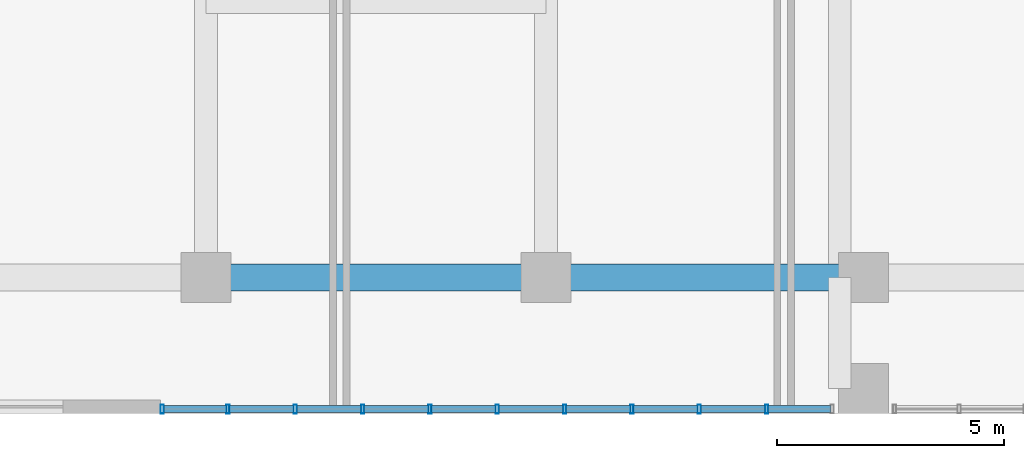
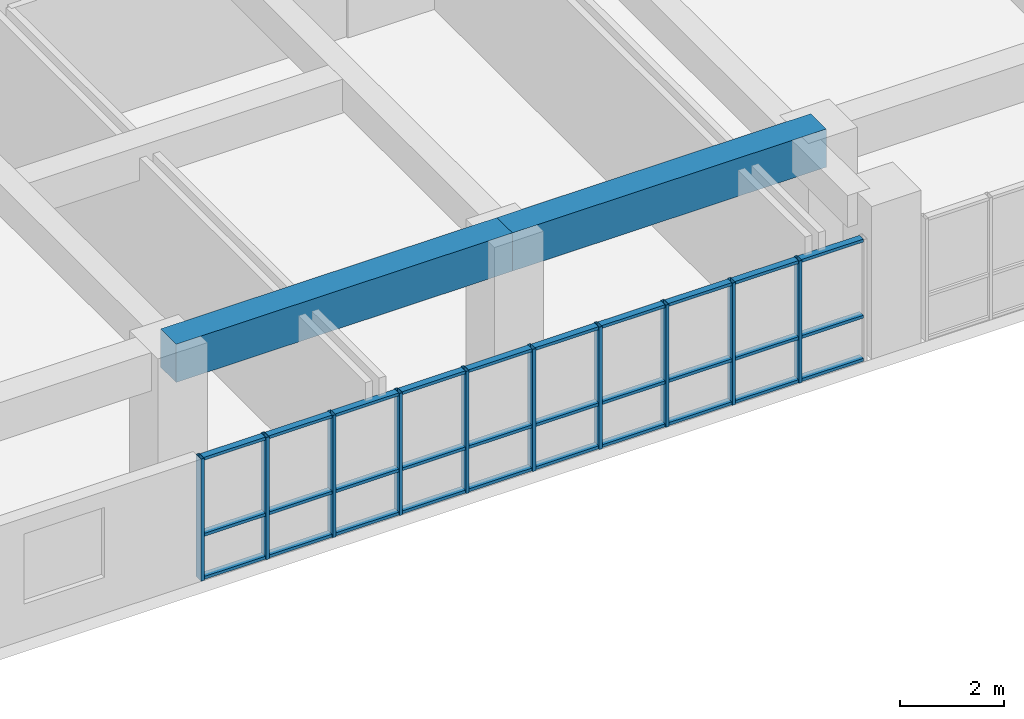
# One storey, part 2 of 27: 40 members, 2 beams, 1 element without a shape of its own.
"""IFC4 building model written with IfcOpenShell, lengths in metres."""

import ifcopenshell
import ifcopenshell.guid

model = None  # the IFC model being written
_history = None  # IfcOwnerHistory: only IFC2X3 demands one
_inside = {}  # id of a spatial element -> (the spatial element, [elements in it])
_under = {}  # id of a project, library or spatial element -> (it, [spatial elements below it])
_declared = {}  # id of a project -> (the project, [libraries it declares])
_typed = {}  # id of a type object -> (the type object, [elements of that type])
_made_of = {}  # id of a material, layer set ... -> (it, [elements and type objects made of it])


def new_model(schema):
    """Start an empty IFC model of exactly this schema.

    Asked for "IFC4X3", IfcOpenShell would pick the latest addendum, in which some entities
    have other attributes; the version numbers below select the first issue.
    IFC2X3 requires an IfcOwnerHistory on every rooted entity: one is made here for all.
    """
    global model, _history
    if schema == "IFC4X3":
        model = ifcopenshell.file(schema_version=(4, 3, 0, 0))
    else:
        model = ifcopenshell.file(schema=schema)
    _inside.clear()
    _under.clear()
    _declared.clear()
    _typed.clear()
    _made_of.clear()
    _history = None
    if model.schema == "IFC2X3":
        org = make("IfcOrganization", Name="unknown")
        user = make(
            "IfcPersonAndOrganization",
            ThePerson=make("IfcPerson", FamilyName="unknown"),
            TheOrganization=org,
        )
        app = make(
            "IfcApplication",
            ApplicationDeveloper=org,
            Version="unknown",
            ApplicationFullName="unknown",
            ApplicationIdentifier="unknown",
        )
        _history = make(
            "IfcOwnerHistory",
            OwningUser=user,
            OwningApplication=app,
            ChangeAction="ADDED",
            CreationDate=0,
        )
    return model


def make(cls, **values):
    """One entity of the class cls with the attributes given. An attribute that is None is left unset."""
    return model.create_entity(
        cls, **{name: value for name, value in values.items() if value is not None}
    )


def rooted(cls, **values):
    """An entity with a GlobalId (a new one), such as an element, a storey or a relation."""
    return make(cls, GlobalId=ifcopenshell.guid.new(), OwnerHistory=_history, **values)


def si_unit(unit_type, name, prefix=None):
    """IfcSIUnit, for example si_unit("LENGTHUNIT", "METRE", prefix="MILLI")."""
    return make("IfcSIUnit", UnitType=unit_type, Prefix=prefix, Name=name)


def assignment(units):
    """IfcUnitAssignment: the units of a project."""
    return None if units is None else make("IfcUnitAssignment", Units=units)


def point(xyz):
    """IfcCartesianPoint."""
    return None if xyz is None else make("IfcCartesianPoint", Coordinates=xyz)


def direction(xyz):
    """IfcDirection."""
    return None if xyz is None else make("IfcDirection", DirectionRatios=xyz)


def frame(location, z_axis=None, x_axis=None):
    """IfcAxis2Placement3D, a coordinate frame: its origin and axes. An axis left out is left unset."""
    return make(
        "IfcAxis2Placement3D",
        Location=point(location),
        Axis=direction(z_axis),
        RefDirection=direction(x_axis),
    )


def frame_2d(location, x_axis=None):
    """IfcAxis2Placement2D, a coordinate frame in the plane: its origin and x axis."""
    return make(
        "IfcAxis2Placement2D", Location=point(location), RefDirection=direction(x_axis)
    )


def origin():
    """The frame at (0, 0, 0) with its axes left unset."""
    return frame((0.0, 0.0, 0.0))


def origin_2d():
    """The frame at (0, 0) in the plane with its x axis left unset."""
    return frame_2d((0.0, 0.0))


def place(relative_to, where):
    """IfcLocalPlacement: puts the frame where relative to a parent placement (None: the world)."""
    return make(
        "IfcLocalPlacement", PlacementRelTo=relative_to, RelativePlacement=where
    )


def context(
    kind, dimensions, precision=None, world=None, true_north=None, identifier=None
):
    """IfcGeometricRepresentationContext, for example the 3D "Model" context."""
    return make(
        "IfcGeometricRepresentationContext",
        ContextIdentifier=identifier,
        ContextType=kind,
        CoordinateSpaceDimension=dimensions,
        Precision=precision,
        WorldCoordinateSystem=world,
        TrueNorth=true_north,
    )


def subcontext(parent, identifier, kind, view, scale=None):
    """IfcGeometricRepresentationSubContext, for example "Body" below "Model"."""
    return make(
        "IfcGeometricRepresentationSubContext",
        ContextIdentifier=identifier,
        ContextType=kind,
        ParentContext=parent,
        TargetScale=scale,
        TargetView=view,
    )


def project(units=None, contexts=None):
    """IfcProject with its units and contexts."""
    return rooted(
        "IfcProject",
        Name="project",
        RepresentationContexts=contexts,
        UnitsInContext=assignment(units),
    )


def spatial(cls, under=None, at=None, **own):
    """A site, building, storey or space (cls), placed at a placement, below another one or the project."""
    s = rooted(cls, ObjectPlacement=at, **own)
    if under is not None:
        _under.setdefault(under.id(), (under, []))[1].append(s)
    return s


def profile(cls, at=None, kind="AREA", **sizes):
    """A parametric profile (cls). Its sizes go by their IFC names, for example OverallWidth=200.0."""
    return make(cls, ProfileType=kind, Position=at, **sizes)


def rectangle(**sizes):
    """IfcRectangleProfileDef."""
    return profile("IfcRectangleProfileDef", **sizes)


def hollow_rectangle(**sizes):
    """IfcRectangleHollowProfileDef."""
    return profile("IfcRectangleHollowProfileDef", **sizes)


def extrude(swept, where, along, depth):
    """IfcExtrudedAreaSolid: the profile swept, set in the frame where, extruded along a direction by depth."""
    return make(
        "IfcExtrudedAreaSolid",
        SweptArea=swept,
        Position=where,
        ExtrudedDirection=direction(along),
        Depth=depth,
    )


def shape(context_of_items, identifier, shape_type, items):
    """IfcShapeRepresentation: the items that make up one representation, for example the "Body"."""
    return make(
        "IfcShapeRepresentation",
        ContextOfItems=context_of_items,
        RepresentationIdentifier=identifier,
        RepresentationType=shape_type,
        Items=items,
    )


def source(mapping_origin, context_of_items, identifier, shape_type, items):
    """IfcRepresentationMap: a shape defined once, which mapped items show again and again."""
    return make(
        "IfcRepresentationMap",
        MappingOrigin=mapping_origin,
        MappedRepresentation=shape(context_of_items, identifier, shape_type, items),
    )


def transform(
    local_origin,
    x_axis=None,
    y_axis=None,
    z_axis=None,
    scale=None,
    scale2=None,
    scale3=None,
    uniform=True,
):
    """IfcCartesianTransformationOperator3D, or its non-uniform kind. x_axis, y_axis, z_axis: its Axis1, 2, 3."""
    if uniform:
        return make(
            "IfcCartesianTransformationOperator3D",
            Axis1=direction(x_axis),
            Axis2=direction(y_axis),
            LocalOrigin=point(local_origin),
            Scale=scale,
            Axis3=direction(z_axis),
        )
    return make(
        "IfcCartesianTransformationOperator3DnonUniform",
        Axis1=direction(x_axis),
        Axis2=direction(y_axis),
        LocalOrigin=point(local_origin),
        Scale=scale,
        Axis3=direction(z_axis),
        Scale2=scale2,
        Scale3=scale3,
    )


def mapped(mapping_source, mapping_target):
    """IfcMappedItem: shows the shape of a source again, moved by a transform."""
    return make(
        "IfcMappedItem", MappingSource=mapping_source, MappingTarget=mapping_target
    )


def material(Name=None, Category=None):
    """IfcMaterial."""
    return make("IfcMaterial", Name=Name, Category=Category)


def layer(
    of_material, thickness, ventilated=None, Name=None, Category=None, Priority=None
):
    """IfcMaterialLayer: one layer of a wall or slab, of a material (None: an air gap)."""
    return make(
        "IfcMaterialLayer",
        Material=of_material,
        LayerThickness=thickness,
        IsVentilated=ventilated,
        Name=Name,
        Category=Category,
        Priority=Priority,
    )


def layer_set(layers, Name=None):
    """IfcMaterialLayerSet."""
    return make("IfcMaterialLayerSet", MaterialLayers=layers, LayerSetName=Name)


def material_profile(
    of_material, cross_section, Name=None, Category=None, Priority=None
):
    """IfcMaterialProfile: a cross section and its material."""
    return make(
        "IfcMaterialProfile",
        Name=Name,
        Material=of_material,
        Profile=cross_section,
        Priority=Priority,
        Category=Category,
    )


def profile_set(profiles, Name=None, composite=None):
    """IfcMaterialProfileSet."""
    return make(
        "IfcMaterialProfileSet",
        Name=Name,
        MaterialProfiles=profiles,
        CompositeProfile=composite,
    )


def made_of(thing, what):
    """Note that an element or type object is made of a material, layer set ...; save() writes the relation."""
    if what is not None:
        _made_of.setdefault(what.id(), (what, []))[1].append(thing)
    return thing


def type_object(cls, material=None, **own):
    """A type object (cls), such as IfcWallType, which elements share."""
    return made_of(rooted(cls, **own), material)


def element(
    cls,
    number,
    at=None,
    inside=None,
    cuts=None,
    type_object=None,
    material=None,
    context=None,
    identifier="Body",
    shape_type=None,
    held_by="IfcProductDefinitionShape",
    body=None,
    shapes=None,
    **own,
):
    """One element of the class cls, such as IfcWall. Its Tag is "e" and its number.

    at: its placement. inside: the storey or other place that contains it. cuts: it is an
    opening in that element (IfcRelVoidsElement). A single representation is given by context,
    identifier, shape_type and body (its items); several are given by shapes. held_by: the class
    of the entity that holds the representations. save() writes the other relations.
    """
    e = rooted(cls, Tag="e%d" % number, ObjectPlacement=at, **own)
    if body is not None:
        shapes = [shape(context, identifier, shape_type, body)]
    if shapes is not None:
        e.Representation = make(held_by, Representations=shapes)
    if inside is not None:
        _inside.setdefault(inside.id(), (inside, []))[1].append(e)
    if cuts is not None:
        rooted(
            "IfcRelVoidsElement", RelatingBuildingElement=cuts, RelatedOpeningElement=e
        )
    if type_object is not None:
        _typed.setdefault(type_object.id(), (type_object, []))[1].append(e)
    return made_of(e, material)


def aggregate(whole, parts):
    """IfcRelAggregates: a whole, such as a stair, and the parts it consists of."""
    return rooted("IfcRelAggregates", RelatingObject=whole, RelatedObjects=parts)


def save(model, path):
    """Write the relations noted so far, then the file.

    IfcRelAggregates (storeys below a building ...), IfcRelContainedInSpatialStructure (elements
    in a storey), IfcRelDefinesByType, IfcRelAssociatesMaterial and IfcRelDeclares: one each for
    every whole, place, type object, material and project.
    """
    for whole, parts in _under.values():
        aggregate(whole, parts)
    for where, things in _inside.values():
        rooted(
            "IfcRelContainedInSpatialStructure",
            RelatedElements=things,
            RelatingStructure=where,
        )
    for kind, things in _typed.values():
        rooted("IfcRelDefinesByType", RelatedObjects=things, RelatingType=kind)
    for what, things in _made_of.values():
        rooted("IfcRelAssociatesMaterial", RelatedObjects=things, RelatingMaterial=what)
    for by, libraries in _declared.values():
        rooted("IfcRelDeclares", RelatingContext=by, RelatedDefinitions=libraries)
    model.write(path)


model = new_model("IFC4")

# Units and contexts
model_context = context("Model", 3, precision=1e-05, world=origin(), true_north=direction((0.0, 1.0)))
body_context = subcontext(model_context, "Body", "Model", "MODEL_VIEW")
ifc_project = project(units=[si_unit("LENGTHUNIT", "METRE"), si_unit("AREAUNIT", "SQUARE_METRE"), si_unit("VOLUMEUNIT", "CUBIC_METRE"), si_unit("PLANEANGLEUNIT", "RADIAN"), si_unit("MASSUNIT", "GRAM", prefix="KILO")], contexts=[model_context])

# Site, building, storey
site_placement = place(None, origin())
site = spatial("IfcSite", under=ifc_project, at=site_placement, CompositionType="ELEMENT")
building_placement = place(site_placement, origin())
building = spatial("IfcBuilding", under=site, at=building_placement, Name="Saelheon Loggia Tower", CompositionType="ELEMENT")
storey_placement = place(building_placement, frame((0.0, 0.0, 4.199951171875)))
storey = spatial("IfcBuildingStorey", under=building, at=storey_placement, Name="L01", CompositionType="ELEMENT", Elevation=4.199951171875)

# Beams
ifc_material_1 = material(Name="Concrete C50/60", Category="concrete")
ifc_material_profile_1 = material_profile(ifc_material_1, rectangle(XDim=0.60009765625, YDim=0.89990234375, at=origin_2d()), Name="RC-600x900")
ifc_profile_set_1 = profile_set([ifc_material_profile_1], Name="Concrete C50/60")
beam_type = type_object("IfcBeamType", Name="Beam_MainGirder_RC600x900", PredefinedType="BEAM", material=ifc_profile_set_1)
shared_shape_1 = source(origin(), body_context, "Body", "SweptSolid", [
    extrude(rectangle(XDim=0.60009765625, YDim=0.89990234375, at=origin_2d()), origin(), (0.0, 0.0, 1.0), 7.5),
])
beam_1_placement = place(storey_placement, frame((17.0, 3.0, 3.150146484375), z_axis=(1.0, 0.0, 0.0), x_axis=(0.0, 1.0, 0.0)))
element("IfcBeam", 1, at=beam_1_placement, inside=storey, type_object=beam_type, Name="BM-L01-EW-3-2", PredefinedType="BEAM", context=body_context, shape_type="MappedRepresentation", body=[
    mapped(shared_shape_1, transform((0.0, 0.0, 0.0), scale=1.0)),
])
shared_shape_2 = source(origin(), body_context, "Body", "SweptSolid", [
    extrude(rectangle(XDim=0.60009765625, YDim=0.89990234375, at=origin_2d()), origin(), (0.0, 0.0, 1.0), 7.0),
])
beam_2_placement = place(storey_placement, frame((24.5, 3.0, 3.150146484375), z_axis=(1.0, 0.0, 0.0), x_axis=(0.0, 1.0, 0.0)))
element("IfcBeam", 2, at=beam_2_placement, inside=storey, type_object=beam_type, Name="BM-L01-EW-3-3", PredefinedType="BEAM", context=body_context, shape_type="MappedRepresentation", body=[
    mapped(shared_shape_2, transform((0.0, 0.0, 0.0), scale=1.0)),
])

# Curtain wall, members
ifc_material_2 = material(Name="Aluminium 6063-T6 and Low-E IGU", Category="aluminium")
ifc_layer = layer(ifc_material_2, 0.179931640625)
ifc_layer_set = layer_set([ifc_layer], Name="Aluminium 6063-T6 and Low-E IGU")
curtain_wall_type = type_object("IfcCurtainWallType", Name="CW_PodiumClinic", PredefinedType="NOTDEFINED", material=ifc_layer_set)
curtain_wall_placement = place(storey_placement, origin())
curtain_wall = element("IfcCurtainWall", 3, at=curtain_wall_placement, inside=storey, type_object=curtain_wall_type, Name="L01 South Clinic Curtain Wall 1", PredefinedType="NOTDEFINED")
ifc_material_3 = material(Name="Anodised Aluminium 6063-T6", Category="aluminium")
ifc_material_profile_2 = material_profile(ifc_material_3, hollow_rectangle(XDim=0.070068359375, YDim=0.199951171875, WallThickness=0.0048828125, at=origin_2d()), Name="RHS-200x70x5")
ifc_profile_set_2 = profile_set([ifc_material_profile_2], Name="Anodised Aluminium 6063-T6")
member_type_1 = type_object("IfcMemberType", Name="CW_PodiumClinic_Mullion", PredefinedType="MULLION", material=ifc_profile_set_2)
shared_shape_3 = source(origin(), body_context, "Body", "SweptSolid", [
    extrude(hollow_rectangle(XDim=0.070068359375, YDim=0.199951171875, WallThickness=0.0048828125, at=origin_2d()), origin(), (0.0, 0.0, 1.0), 2.880126953125),
])
member_1_placement = place(storey_placement, frame((16.034912109375, 0.10009765625, 0.0), z_axis=(0.0, 0.0, 1.0), x_axis=(1.0, 0.0, 0.0)))
member_1 = element("IfcMember", 4, at=member_1_placement, type_object=member_type_1, Name="CW1 mullion 1", PredefinedType="MULLION", context=body_context, shape_type="MappedRepresentation", body=[
    mapped(shared_shape_3, transform((0.0, 0.0, 0.0), scale=1.0)),
])
member_2_placement = place(storey_placement, frame((17.485107421875, 0.10009765625, 0.0), z_axis=(0.0, 0.0, 1.0), x_axis=(1.0, 0.0, 0.0)))
member_2 = element("IfcMember", 5, at=member_2_placement, type_object=member_type_1, Name="CW1 mullion 2", PredefinedType="MULLION", context=body_context, shape_type="MappedRepresentation", body=[
    mapped(shared_shape_3, transform((0.0, 0.0, 0.0), scale=1.0)),
])
member_3_placement = place(storey_placement, frame((18.969970703125, 0.10009765625, 0.0), z_axis=(0.0, 0.0, 1.0), x_axis=(1.0, 0.0, 0.0)))
member_3 = element("IfcMember", 6, at=member_3_placement, type_object=member_type_1, Name="CW1 mullion 3", PredefinedType="MULLION", context=body_context, shape_type="MappedRepresentation", body=[
    mapped(shared_shape_3, transform((0.0, 0.0, 0.0), scale=1.0)),
])
member_4_placement = place(storey_placement, frame((20.455078125, 0.10009765625, 0.0), z_axis=(0.0, 0.0, 1.0), x_axis=(1.0, 0.0, 0.0)))
member_4 = element("IfcMember", 7, at=member_4_placement, type_object=member_type_1, Name="CW1 mullion 4", PredefinedType="MULLION", context=body_context, shape_type="MappedRepresentation", body=[
    mapped(shared_shape_3, transform((0.0, 0.0, 0.0), scale=1.0)),
])
member_5_placement = place(storey_placement, frame((21.93994140625, 0.10009765625, 0.0), z_axis=(0.0, 0.0, 1.0), x_axis=(1.0, 0.0, 0.0)))
member_5 = element("IfcMember", 8, at=member_5_placement, type_object=member_type_1, Name="CW1 mullion 5", PredefinedType="MULLION", context=body_context, shape_type="MappedRepresentation", body=[
    mapped(shared_shape_3, transform((0.0, 0.0, 0.0), scale=1.0)),
])
member_6_placement = place(storey_placement, frame((23.425048828125, 0.10009765625, 0.0), z_axis=(0.0, 0.0, 1.0), x_axis=(1.0, 0.0, 0.0)))
member_6 = element("IfcMember", 9, at=member_6_placement, type_object=member_type_1, Name="CW1 mullion 6", PredefinedType="MULLION", context=body_context, shape_type="MappedRepresentation", body=[
    mapped(shared_shape_3, transform((0.0, 0.0, 0.0), scale=1.0)),
])
member_7_placement = place(storey_placement, frame((24.909912109375, 0.10009765625, 0.0), z_axis=(0.0, 0.0, 1.0), x_axis=(1.0, 0.0, 0.0)))
member_7 = element("IfcMember", 10, at=member_7_placement, type_object=member_type_1, Name="CW1 mullion 7", PredefinedType="MULLION", context=body_context, shape_type="MappedRepresentation", body=[
    mapped(shared_shape_3, transform((0.0, 0.0, 0.0), scale=1.0)),
])
member_8_placement = place(storey_placement, frame((26.39501953125, 0.10009765625, 0.0), z_axis=(0.0, 0.0, 1.0), x_axis=(1.0, 0.0, 0.0)))
member_8 = element("IfcMember", 11, at=member_8_placement, type_object=member_type_1, Name="CW1 mullion 8", PredefinedType="MULLION", context=body_context, shape_type="MappedRepresentation", body=[
    mapped(shared_shape_3, transform((0.0, 0.0, 0.0), scale=1.0)),
])
member_9_placement = place(storey_placement, frame((27.8798828125, 0.10009765625, 0.0), z_axis=(0.0, 0.0, 1.0), x_axis=(1.0, 0.0, 0.0)))
member_9 = element("IfcMember", 12, at=member_9_placement, type_object=member_type_1, Name="CW1 mullion 9", PredefinedType="MULLION", context=body_context, shape_type="MappedRepresentation", body=[
    mapped(shared_shape_3, transform((0.0, 0.0, 0.0), scale=1.0)),
])
member_10_placement = place(storey_placement, frame((29.364990234375, 0.10009765625, 0.0), z_axis=(0.0, 0.0, 1.0), x_axis=(1.0, 0.0, 0.0)))
member_10 = element("IfcMember", 13, at=member_10_placement, type_object=member_type_1, Name="CW1 mullion 10", PredefinedType="MULLION", context=body_context, shape_type="MappedRepresentation", body=[
    mapped(shared_shape_3, transform((0.0, 0.0, 0.0), scale=1.0)),
])
ifc_material_profile_3 = material_profile(ifc_material_3, hollow_rectangle(XDim=0.070068359375, YDim=0.14990234375, WallThickness=0.0048828125, at=origin_2d()), Name="RHS-150x70x5")
ifc_profile_set_3 = profile_set([ifc_material_profile_3], Name="Anodised Aluminium 6063-T6")
member_type_2 = type_object("IfcMemberType", Name="CW_PodiumClinic_Transom", PredefinedType="USERDEFINED", material=ifc_profile_set_3)
shared_shape_4 = source(origin(), body_context, "Body", "SweptSolid", [
    extrude(hollow_rectangle(XDim=0.070068359375, YDim=0.14990234375, WallThickness=0.0048828125, at=origin_2d()), origin(), (0.0, 0.0, 1.0), 1.3798828125),
])
member_11_placement = place(storey_placement, frame((16.070068359375, 0.10009765625, 0.03515625), z_axis=(1.0, 0.0, 0.0), x_axis=(0.0, 0.0, 1.0)))
member_11 = element("IfcMember", 14, at=member_11_placement, type_object=member_type_2, Name="CW1 transom 1.1", ObjectType="TRANSOM", PredefinedType="USERDEFINED", context=body_context, shape_type="MappedRepresentation", body=[
    mapped(shared_shape_4, transform((0.0, 0.0, 0.0), scale=1.0)),
])
member_12_placement = place(storey_placement, frame((16.070068359375, 0.10009765625, 1.050048828125), z_axis=(1.0, 0.0, 0.0), x_axis=(0.0, 0.0, 1.0)))
member_12 = element("IfcMember", 15, at=member_12_placement, type_object=member_type_2, Name="CW1 transom 1.2", ObjectType="TRANSOM", PredefinedType="USERDEFINED", context=body_context, shape_type="MappedRepresentation", body=[
    mapped(shared_shape_4, transform((0.0, 0.0, 0.0), scale=1.0)),
])
member_13_placement = place(storey_placement, frame((16.070068359375, 0.10009765625, 2.844970703125), z_axis=(1.0, 0.0, 0.0), x_axis=(0.0, 0.0, 1.0)))
member_13 = element("IfcMember", 16, at=member_13_placement, type_object=member_type_2, Name="CW1 transom 1.3", ObjectType="TRANSOM", PredefinedType="USERDEFINED", context=body_context, shape_type="MappedRepresentation", body=[
    mapped(shared_shape_4, transform((0.0, 0.0, 0.0), scale=1.0)),
])
shared_shape_5 = source(origin(), body_context, "Body", "SweptSolid", [
    extrude(hollow_rectangle(XDim=0.070068359375, YDim=0.14990234375, WallThickness=0.0048828125, at=origin_2d()), origin(), (0.0, 0.0, 1.0), 1.4150390625),
])
member_14_placement = place(storey_placement, frame((17.52001953125, 0.10009765625, 0.03515625), z_axis=(1.0, 0.0, 0.0), x_axis=(0.0, 0.0, 1.0)))
member_14 = element("IfcMember", 17, at=member_14_placement, type_object=member_type_2, Name="CW1 transom 2.1", ObjectType="TRANSOM", PredefinedType="USERDEFINED", context=body_context, shape_type="MappedRepresentation", body=[
    mapped(shared_shape_5, transform((0.0, 0.0, 0.0), scale=1.0)),
])
member_15_placement = place(storey_placement, frame((17.52001953125, 0.10009765625, 1.050048828125), z_axis=(1.0, 0.0, 0.0), x_axis=(0.0, 0.0, 1.0)))
member_15 = element("IfcMember", 18, at=member_15_placement, type_object=member_type_2, Name="CW1 transom 2.2", ObjectType="TRANSOM", PredefinedType="USERDEFINED", context=body_context, shape_type="MappedRepresentation", body=[
    mapped(shared_shape_5, transform((0.0, 0.0, 0.0), scale=1.0)),
])
member_16_placement = place(storey_placement, frame((17.52001953125, 0.10009765625, 2.844970703125), z_axis=(1.0, 0.0, 0.0), x_axis=(0.0, 0.0, 1.0)))
member_16 = element("IfcMember", 19, at=member_16_placement, type_object=member_type_2, Name="CW1 transom 2.3", ObjectType="TRANSOM", PredefinedType="USERDEFINED", context=body_context, shape_type="MappedRepresentation", body=[
    mapped(shared_shape_5, transform((0.0, 0.0, 0.0), scale=1.0)),
])
member_17_placement = place(storey_placement, frame((19.0048828125, 0.10009765625, 0.03515625), z_axis=(1.0, 0.0, 0.0), x_axis=(0.0, 0.0, 1.0)))
member_17 = element("IfcMember", 20, at=member_17_placement, type_object=member_type_2, Name="CW1 transom 3.1", ObjectType="TRANSOM", PredefinedType="USERDEFINED", context=body_context, shape_type="MappedRepresentation", body=[
    mapped(shared_shape_5, transform((0.0, 0.0, 0.0), scale=1.0)),
])
member_18_placement = place(storey_placement, frame((19.0048828125, 0.10009765625, 1.050048828125), z_axis=(1.0, 0.0, 0.0), x_axis=(0.0, 0.0, 1.0)))
member_18 = element("IfcMember", 21, at=member_18_placement, type_object=member_type_2, Name="CW1 transom 3.2", ObjectType="TRANSOM", PredefinedType="USERDEFINED", context=body_context, shape_type="MappedRepresentation", body=[
    mapped(shared_shape_5, transform((0.0, 0.0, 0.0), scale=1.0)),
])
member_19_placement = place(storey_placement, frame((19.0048828125, 0.10009765625, 2.844970703125), z_axis=(1.0, 0.0, 0.0), x_axis=(0.0, 0.0, 1.0)))
member_19 = element("IfcMember", 22, at=member_19_placement, type_object=member_type_2, Name="CW1 transom 3.3", ObjectType="TRANSOM", PredefinedType="USERDEFINED", context=body_context, shape_type="MappedRepresentation", body=[
    mapped(shared_shape_5, transform((0.0, 0.0, 0.0), scale=1.0)),
])
member_20_placement = place(storey_placement, frame((20.489990234375, 0.10009765625, 0.03515625), z_axis=(1.0, 0.0, 0.0), x_axis=(0.0, 0.0, 1.0)))
member_20 = element("IfcMember", 23, at=member_20_placement, type_object=member_type_2, Name="CW1 transom 4.1", ObjectType="TRANSOM", PredefinedType="USERDEFINED", context=body_context, shape_type="MappedRepresentation", body=[
    mapped(shared_shape_5, transform((0.0, 0.0, 0.0), scale=1.0)),
])
member_21_placement = place(storey_placement, frame((20.489990234375, 0.10009765625, 1.050048828125), z_axis=(1.0, 0.0, 0.0), x_axis=(0.0, 0.0, 1.0)))
member_21 = element("IfcMember", 24, at=member_21_placement, type_object=member_type_2, Name="CW1 transom 4.2", ObjectType="TRANSOM", PredefinedType="USERDEFINED", context=body_context, shape_type="MappedRepresentation", body=[
    mapped(shared_shape_5, transform((0.0, 0.0, 0.0), scale=1.0)),
])
member_22_placement = place(storey_placement, frame((20.489990234375, 0.10009765625, 2.844970703125), z_axis=(1.0, 0.0, 0.0), x_axis=(0.0, 0.0, 1.0)))
member_22 = element("IfcMember", 25, at=member_22_placement, type_object=member_type_2, Name="CW1 transom 4.3", ObjectType="TRANSOM", PredefinedType="USERDEFINED", context=body_context, shape_type="MappedRepresentation", body=[
    mapped(shared_shape_5, transform((0.0, 0.0, 0.0), scale=1.0)),
])
member_23_placement = place(storey_placement, frame((23.4599609375, 0.10009765625, 0.03515625), z_axis=(1.0, 0.0, 0.0), x_axis=(0.0, 0.0, 1.0)))
member_23 = element("IfcMember", 26, at=member_23_placement, type_object=member_type_2, Name="CW1 transom 6.1", ObjectType="TRANSOM", PredefinedType="USERDEFINED", context=body_context, shape_type="MappedRepresentation", body=[
    mapped(shared_shape_5, transform((0.0, 0.0, 0.0), scale=1.0)),
])
member_24_placement = place(storey_placement, frame((23.4599609375, 0.10009765625, 1.050048828125), z_axis=(1.0, 0.0, 0.0), x_axis=(0.0, 0.0, 1.0)))
member_24 = element("IfcMember", 27, at=member_24_placement, type_object=member_type_2, Name="CW1 transom 6.2", ObjectType="TRANSOM", PredefinedType="USERDEFINED", context=body_context, shape_type="MappedRepresentation", body=[
    mapped(shared_shape_5, transform((0.0, 0.0, 0.0), scale=1.0)),
])
member_25_placement = place(storey_placement, frame((23.4599609375, 0.10009765625, 2.844970703125), z_axis=(1.0, 0.0, 0.0), x_axis=(0.0, 0.0, 1.0)))
member_25 = element("IfcMember", 28, at=member_25_placement, type_object=member_type_2, Name="CW1 transom 6.3", ObjectType="TRANSOM", PredefinedType="USERDEFINED", context=body_context, shape_type="MappedRepresentation", body=[
    mapped(shared_shape_5, transform((0.0, 0.0, 0.0), scale=1.0)),
])
member_26_placement = place(storey_placement, frame((24.945068359375, 0.10009765625, 0.03515625), z_axis=(1.0, 0.0, 0.0), x_axis=(0.0, 0.0, 1.0)))
member_26 = element("IfcMember", 29, at=member_26_placement, type_object=member_type_2, Name="CW1 transom 7.1", ObjectType="TRANSOM", PredefinedType="USERDEFINED", context=body_context, shape_type="MappedRepresentation", body=[
    mapped(shared_shape_5, transform((0.0, 0.0, 0.0), scale=1.0)),
])
member_27_placement = place(storey_placement, frame((24.945068359375, 0.10009765625, 1.050048828125), z_axis=(1.0, 0.0, 0.0), x_axis=(0.0, 0.0, 1.0)))
member_27 = element("IfcMember", 30, at=member_27_placement, type_object=member_type_2, Name="CW1 transom 7.2", ObjectType="TRANSOM", PredefinedType="USERDEFINED", context=body_context, shape_type="MappedRepresentation", body=[
    mapped(shared_shape_5, transform((0.0, 0.0, 0.0), scale=1.0)),
])
member_28_placement = place(storey_placement, frame((24.945068359375, 0.10009765625, 2.844970703125), z_axis=(1.0, 0.0, 0.0), x_axis=(0.0, 0.0, 1.0)))
member_28 = element("IfcMember", 31, at=member_28_placement, type_object=member_type_2, Name="CW1 transom 7.3", ObjectType="TRANSOM", PredefinedType="USERDEFINED", context=body_context, shape_type="MappedRepresentation", body=[
    mapped(shared_shape_5, transform((0.0, 0.0, 0.0), scale=1.0)),
])
member_29_placement = place(storey_placement, frame((26.429931640625, 0.10009765625, 0.03515625), z_axis=(1.0, 0.0, 0.0), x_axis=(0.0, 0.0, 1.0)))
member_29 = element("IfcMember", 32, at=member_29_placement, type_object=member_type_2, Name="CW1 transom 8.1", ObjectType="TRANSOM", PredefinedType="USERDEFINED", context=body_context, shape_type="MappedRepresentation", body=[
    mapped(shared_shape_5, transform((0.0, 0.0, 0.0), scale=1.0)),
])
member_30_placement = place(storey_placement, frame((26.429931640625, 0.10009765625, 1.050048828125), z_axis=(1.0, 0.0, 0.0), x_axis=(0.0, 0.0, 1.0)))
member_30 = element("IfcMember", 33, at=member_30_placement, type_object=member_type_2, Name="CW1 transom 8.2", ObjectType="TRANSOM", PredefinedType="USERDEFINED", context=body_context, shape_type="MappedRepresentation", body=[
    mapped(shared_shape_5, transform((0.0, 0.0, 0.0), scale=1.0)),
])
member_31_placement = place(storey_placement, frame((26.429931640625, 0.10009765625, 2.844970703125), z_axis=(1.0, 0.0, 0.0), x_axis=(0.0, 0.0, 1.0)))
member_31 = element("IfcMember", 34, at=member_31_placement, type_object=member_type_2, Name="CW1 transom 8.3", ObjectType="TRANSOM", PredefinedType="USERDEFINED", context=body_context, shape_type="MappedRepresentation", body=[
    mapped(shared_shape_5, transform((0.0, 0.0, 0.0), scale=1.0)),
])
member_32_placement = place(storey_placement, frame((27.9150390625, 0.10009765625, 0.03515625), z_axis=(1.0, 0.0, 0.0), x_axis=(0.0, 0.0, 1.0)))
member_32 = element("IfcMember", 35, at=member_32_placement, type_object=member_type_2, Name="CW1 transom 9.1", ObjectType="TRANSOM", PredefinedType="USERDEFINED", context=body_context, shape_type="MappedRepresentation", body=[
    mapped(shared_shape_5, transform((0.0, 0.0, 0.0), scale=1.0)),
])
member_33_placement = place(storey_placement, frame((27.9150390625, 0.10009765625, 1.050048828125), z_axis=(1.0, 0.0, 0.0), x_axis=(0.0, 0.0, 1.0)))
member_33 = element("IfcMember", 36, at=member_33_placement, type_object=member_type_2, Name="CW1 transom 9.2", ObjectType="TRANSOM", PredefinedType="USERDEFINED", context=body_context, shape_type="MappedRepresentation", body=[
    mapped(shared_shape_5, transform((0.0, 0.0, 0.0), scale=1.0)),
])
member_34_placement = place(storey_placement, frame((27.9150390625, 0.10009765625, 2.844970703125), z_axis=(1.0, 0.0, 0.0), x_axis=(0.0, 0.0, 1.0)))
member_34 = element("IfcMember", 37, at=member_34_placement, type_object=member_type_2, Name="CW1 transom 9.3", ObjectType="TRANSOM", PredefinedType="USERDEFINED", context=body_context, shape_type="MappedRepresentation", body=[
    mapped(shared_shape_5, transform((0.0, 0.0, 0.0), scale=1.0)),
])
shared_shape_6 = source(origin(), body_context, "Body", "SweptSolid", [
    extrude(hollow_rectangle(XDim=0.070068359375, YDim=0.14990234375, WallThickness=0.0048828125, at=origin_2d()), origin(), (0.0, 0.0, 1.0), 1.414794921875),
])
member_35_placement = place(storey_placement, frame((21.97509765625, 0.10009765625, 0.03515625), z_axis=(1.0, 0.0, 0.0), x_axis=(0.0, 0.0, 1.0)))
member_35 = element("IfcMember", 38, at=member_35_placement, type_object=member_type_2, Name="CW1 transom 5.1", ObjectType="TRANSOM", PredefinedType="USERDEFINED", context=body_context, shape_type="MappedRepresentation", body=[
    mapped(shared_shape_6, transform((0.0, 0.0, 0.0), scale=1.0)),
])
member_36_placement = place(storey_placement, frame((21.97509765625, 0.10009765625, 1.050048828125), z_axis=(1.0, 0.0, 0.0), x_axis=(0.0, 0.0, 1.0)))
member_36 = element("IfcMember", 39, at=member_36_placement, type_object=member_type_2, Name="CW1 transom 5.2", ObjectType="TRANSOM", PredefinedType="USERDEFINED", context=body_context, shape_type="MappedRepresentation", body=[
    mapped(shared_shape_6, transform((0.0, 0.0, 0.0), scale=1.0)),
])
member_37_placement = place(storey_placement, frame((21.97509765625, 0.10009765625, 2.844970703125), z_axis=(1.0, 0.0, 0.0), x_axis=(0.0, 0.0, 1.0)))
member_37 = element("IfcMember", 40, at=member_37_placement, type_object=member_type_2, Name="CW1 transom 5.3", ObjectType="TRANSOM", PredefinedType="USERDEFINED", context=body_context, shape_type="MappedRepresentation", body=[
    mapped(shared_shape_6, transform((0.0, 0.0, 0.0), scale=1.0)),
])
shared_shape_7 = source(origin(), body_context, "Body", "SweptSolid", [
    extrude(hollow_rectangle(XDim=0.070068359375, YDim=0.14990234375, WallThickness=0.0048828125, at=origin_2d()), origin(), (0.0, 0.0, 1.0), 1.380126953125),
])
member_38_placement = place(storey_placement, frame((29.39990234375, 0.10009765625, 0.03515625), z_axis=(1.0, 0.0, 0.0), x_axis=(0.0, 0.0, 1.0)))
member_38 = element("IfcMember", 41, at=member_38_placement, type_object=member_type_2, Name="CW1 transom 10.1", ObjectType="TRANSOM", PredefinedType="USERDEFINED", context=body_context, shape_type="MappedRepresentation", body=[
    mapped(shared_shape_7, transform((0.0, 0.0, 0.0), scale=1.0)),
])
member_39_placement = place(storey_placement, frame((29.39990234375, 0.10009765625, 1.050048828125), z_axis=(1.0, 0.0, 0.0), x_axis=(0.0, 0.0, 1.0)))
member_39 = element("IfcMember", 42, at=member_39_placement, type_object=member_type_2, Name="CW1 transom 10.2", ObjectType="TRANSOM", PredefinedType="USERDEFINED", context=body_context, shape_type="MappedRepresentation", body=[
    mapped(shared_shape_7, transform((0.0, 0.0, 0.0), scale=1.0)),
])
member_40_placement = place(storey_placement, frame((29.39990234375, 0.10009765625, 2.844970703125), z_axis=(1.0, 0.0, 0.0), x_axis=(0.0, 0.0, 1.0)))
member_40 = element("IfcMember", 43, at=member_40_placement, type_object=member_type_2, Name="CW1 transom 10.3", ObjectType="TRANSOM", PredefinedType="USERDEFINED", context=body_context, shape_type="MappedRepresentation", body=[
    mapped(shared_shape_7, transform((0.0, 0.0, 0.0), scale=1.0)),
])
aggregate(curtain_wall, [member_1, member_2, member_3, member_4, member_5, member_6, member_7, member_8, member_9, member_10, member_11, member_12, member_13, member_14, member_15, member_16, member_17, member_18, member_19, member_20, member_21, member_22, member_35, member_36, member_37, member_23, member_24, member_25, member_26, member_27, member_28, member_29, member_30, member_31, member_32, member_33, member_34, member_38, member_39, member_40])

save(model, "model.ifc")
